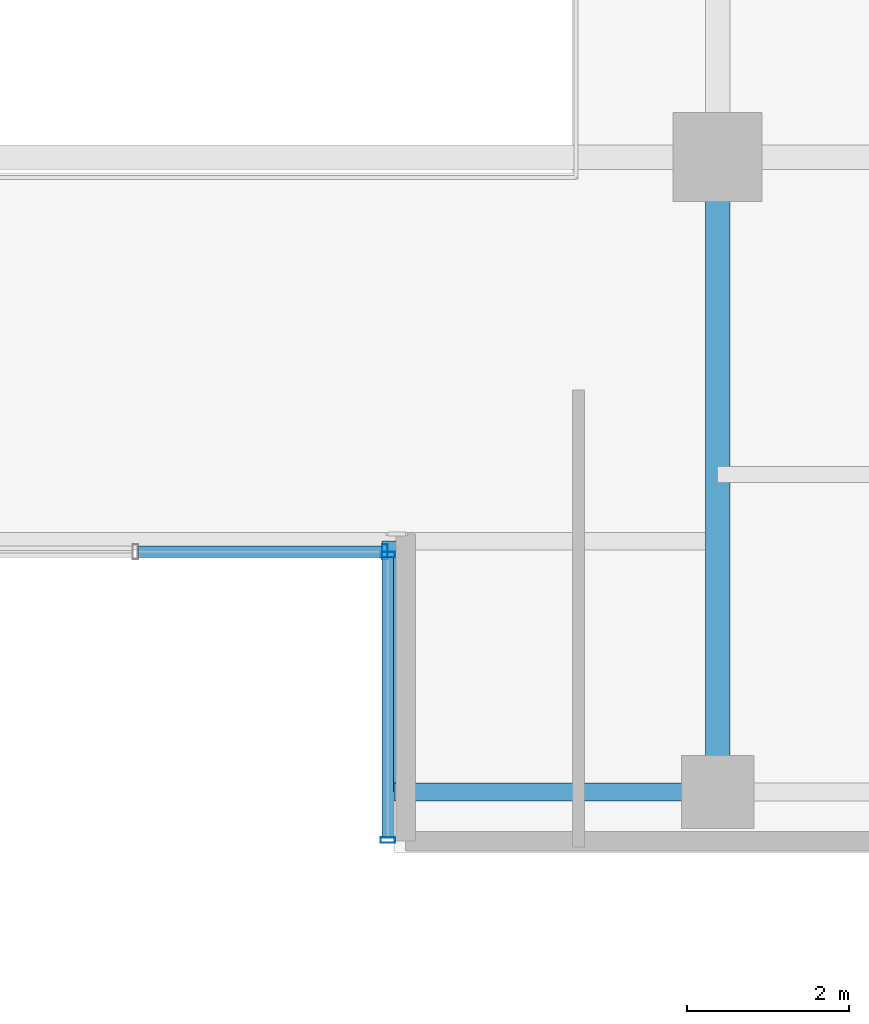
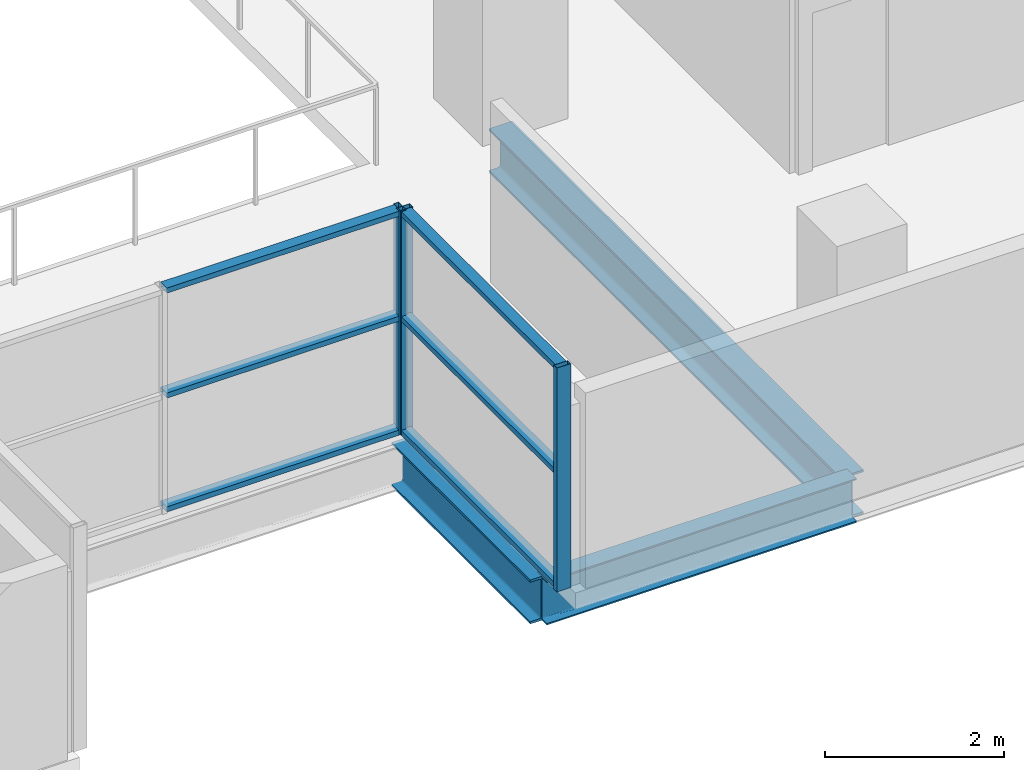
# One storey, part 9 of 31: 9 members, 3 beams, 2 elements without a shape of their own.
"""IFC4 building model written with IfcOpenShell, lengths in metres."""

from ifc_helpers import new_model, si_unit, direction, frame, origin, origin_2d, place, context, subcontext, project, spatial, hollow_rectangle, i_section, extrude, source, transform, mapped, material, layer, layer_set, material_profile, profile_set, type_object, element, aggregate, save


model = new_model("IFC4")

# Units and contexts
model_context = context("Model", 3, precision=1e-05, world=origin(), true_north=direction((0.0, 1.0)))
body_context = subcontext(model_context, "Body", "Model", "MODEL_VIEW")
ifc_project = project(units=[si_unit("LENGTHUNIT", "METRE"), si_unit("AREAUNIT", "SQUARE_METRE"), si_unit("VOLUMEUNIT", "CUBIC_METRE"), si_unit("PLANEANGLEUNIT", "RADIAN"), si_unit("MASSUNIT", "GRAM", prefix="KILO")], contexts=[model_context])

# Site, building, storey
site_placement = place(None, origin())
site = spatial("IfcSite", under=ifc_project, at=site_placement, CompositionType="ELEMENT")
building_placement = place(site_placement, origin())
building = spatial("IfcBuilding", under=site, at=building_placement, Name="Zarnakvel Exchange Tower", CompositionType="ELEMENT")
storey_placement = place(building_placement, frame((0.0, 0.0, 60.39990234375)))
storey = spatial("IfcBuildingStorey", under=building, at=storey_placement, Name="L16", CompositionType="ELEMENT", Elevation=60.39990234375)

# Beams
ifc_material_1 = material(Name="Steel S355", Category="steel")
ifc_material_profile_1 = material_profile(ifc_material_1, i_section(OverallWidth=0.300048828125, OverallDepth=0.60009765625, WebThickness=0.015380859375, FlangeThickness=0.030029296875, FilletRadius=0.027099609375, at=origin_2d()))
ifc_profile_set_1 = profile_set([ifc_material_profile_1], Name="Steel S355")
beam_type_1 = type_object("IfcBeamType", Name="G-04", PredefinedType="BEAM", material=ifc_profile_set_1)
beam_1_placement = place(storey_placement, frame((3.199951171875, -17.449951171875, -0.52490234375), z_axis=(0.0, 1.0, 0.0), x_axis=(-1.0, 0.0, 0.0)))
element("IfcBeam", 1, at=beam_1_placement, inside=storey, type_object=beam_type_1, Name="L16 South Slot East Cheek Beam", PredefinedType="BEAM", context=body_context, shape_type="SweptSolid", body=[
    extrude(i_section(OverallWidth=0.300048828125, OverallDepth=0.60009765625, WebThickness=0.015380859375, FlangeThickness=0.030029296875, FilletRadius=0.027099609375, at=origin_2d()), origin(), (0.0, 0.0, 1.0), 3.099853515625),
])
beam_2_placement = place(storey_placement, frame((7.199951171875, -17.449951171875, -0.52490234375), z_axis=(0.0, 1.0, 0.0), x_axis=(-1.0, 0.0, 0.0)))
element("IfcBeam", 2, at=beam_2_placement, inside=storey, type_object=beam_type_1, Name="L16 Tower N-S Frame Beam", PredefinedType="BEAM", context=body_context, shape_type="SweptSolid", body=[
    extrude(i_section(OverallWidth=0.300048828125, OverallDepth=0.60009765625, WebThickness=0.015380859375, FlangeThickness=0.030029296875, FilletRadius=0.027099609375, at=origin_2d()), origin(), (0.0, 0.0, 1.0), 7.849853515625),
])
ifc_material_profile_2 = material_profile(ifc_material_1, i_section(OverallWidth=0.219970703125, OverallDepth=0.60009765625, WebThickness=0.011962890625, FlangeThickness=0.01904296875, FilletRadius=0.02392578125, at=origin_2d()))
ifc_profile_set_2 = profile_set([ifc_material_profile_2], Name="Steel S355")
beam_type_2 = type_object("IfcBeamType", Name="SP-01", PredefinedType="SPANDREL", material=ifc_profile_set_2)
beam_3_placement = place(storey_placement, frame((3.199951171875, -17.449951171875, -0.52490234375), z_axis=(1.0, 0.0, 0.0), x_axis=(0.0, 1.0, 0.0)))
element("IfcBeam", 3, at=beam_3_placement, inside=storey, type_object=beam_type_2, Name="L16 South Slot East Jamb Spandrel", PredefinedType="SPANDREL", context=body_context, shape_type="SweptSolid", body=[
    extrude(i_section(OverallWidth=0.219970703125, OverallDepth=0.60009765625, WebThickness=0.011962890625, FlangeThickness=0.01904296875, FilletRadius=0.02392578125, at=origin_2d()), origin(), (0.0, 0.0, 1.0), 4.0),
])

# Curtain wall, member
ifc_material_2 = material(Name="Architectural Bronze Anodised Aluminium", Category="aluminium")
ifc_layer = layer(ifc_material_2, 0.179931640625)
ifc_layer_set = layer_set([ifc_layer], Name="Architectural Bronze Anodised Aluminium")
curtain_wall_type = type_object("IfcCurtainWallType", Name="CW-05", PredefinedType="NOTDEFINED", material=ifc_layer_set)
curtain_wall_1_placement = place(storey_placement, origin())
curtain_wall_1 = element("IfcCurtainWall", 4, at=curtain_wall_1_placement, inside=storey, type_object=curtain_wall_type, Name="L16 Curtain Wall CW-L16-SLB (CW-05)", PredefinedType="NOTDEFINED")
ifc_material_profile_3 = material_profile(ifc_material_2, hollow_rectangle(XDim=0.179931640625, YDim=0.070068359375, WallThickness=0.00390625, at=origin_2d()))
ifc_profile_set_3 = profile_set([ifc_material_profile_3], Name="Architectural Bronze Anodised Aluminium")
member_type_1 = type_object("IfcMemberType", Name="CWM-05", PredefinedType="MULLION", material=ifc_profile_set_3)
shared_shape_1 = source(origin(), body_context, "Body", "SweptSolid", [
    extrude(hollow_rectangle(XDim=0.179931640625, YDim=0.070068359375, WallThickness=0.00390625, at=origin_2d()), origin(), (0.0, 0.0, 1.0), 3.05517578125),
])
member_1_placement = place(storey_placement, frame((3.0849609375, -14.47998046875, 0.0), z_axis=(0.0, 0.0, 1.0), x_axis=(0.0, 1.0, 0.0)))
member_1 = element("IfcMember", 5, at=member_1_placement, type_object=member_type_1, Name="CW-05 mullion 3", PredefinedType="MULLION", context=body_context, shape_type="MappedRepresentation", body=[
    mapped(shared_shape_1, transform((0.0, 0.0, 0.0), x_axis=(1.0, 0.0, 0.0), y_axis=(0.0, 1.0, 0.0), z_axis=(0.0, 0.0, 1.0), scale=1.0)),
])

# Curtain wall, members
curtain_wall_2_placement = place(storey_placement, origin())
curtain_wall_2 = element("IfcCurtainWall", 6, at=curtain_wall_2_placement, inside=storey, type_object=curtain_wall_type, Name="L16 Curtain Wall CW-L16-SLE (CW-05)", PredefinedType="NOTDEFINED")
member_2_placement = place(storey_placement, frame((3.1201171875, -14.514892578125, 0.0), z_axis=(0.0, 0.0, 1.0), x_axis=(1.0, 0.0, 0.0)))
member_2 = element("IfcMember", 7, at=member_2_placement, type_object=member_type_1, Name="CW-05 mullion 1", PredefinedType="MULLION", context=body_context, shape_type="MappedRepresentation", body=[
    mapped(shared_shape_1, transform((0.0, 0.0, 0.0), x_axis=(1.0, 0.0, 0.0), y_axis=(0.0, 1.0, 0.0), z_axis=(0.0, 0.0, 1.0), scale=1.0)),
])
member_3_placement = place(storey_placement, frame((3.1201171875, -18.044921875, 0.0), z_axis=(0.0, 0.0, 1.0), x_axis=(1.0, 0.0, 0.0)))
member_3 = element("IfcMember", 8, at=member_3_placement, type_object=member_type_1, Name="CW-05 mullion 2", PredefinedType="MULLION", context=body_context, shape_type="MappedRepresentation", body=[
    mapped(shared_shape_1, transform((0.0, 0.0, 0.0), x_axis=(1.0, 0.0, 0.0), y_axis=(0.0, 1.0, 0.0), z_axis=(0.0, 0.0, 1.0), scale=1.0)),
])
ifc_material_profile_4 = material_profile(ifc_material_2, hollow_rectangle(XDim=0.139892578125, YDim=0.070068359375, WallThickness=0.00390625, at=origin_2d()))
ifc_profile_set_4 = profile_set([ifc_material_profile_4], Name="Architectural Bronze Anodised Aluminium")
member_type_2 = type_object("IfcMemberType", Name="CWT-05", PredefinedType="USERDEFINED", material=ifc_profile_set_4)
shared_shape_2 = source(origin(), body_context, "Body", "SweptSolid", [
    extrude(hollow_rectangle(XDim=0.139892578125, YDim=0.070068359375, WallThickness=0.00390625, at=origin_2d()), origin(), (0.0, 0.0, 1.0), 3.4599609375),
])
member_4_placement = place(storey_placement, frame((3.1201171875, -14.550048828125, 0.03515625), z_axis=(0.0, -1.0, 0.0), x_axis=(1.0, 0.0, 0.0)))
member_4 = element("IfcMember", 9, at=member_4_placement, type_object=member_type_2, Name="CW-05 transom 1.1", ObjectType="TRANSOM", PredefinedType="USERDEFINED", context=body_context, shape_type="MappedRepresentation", body=[
    mapped(shared_shape_2, transform((0.0, 0.0, 0.0), x_axis=(1.0, 0.0, 0.0), y_axis=(0.0, 1.0, 0.0), z_axis=(0.0, 0.0, 1.0), scale=1.0)),
])
member_5_placement = place(storey_placement, frame((3.1201171875, -14.550048828125, 1.588623046875), z_axis=(0.0, -1.0, 0.0), x_axis=(1.0, 0.0, 0.0)))
member_5 = element("IfcMember", 10, at=member_5_placement, type_object=member_type_2, Name="CW-05 transom 1.2", ObjectType="TRANSOM", PredefinedType="USERDEFINED", context=body_context, shape_type="MappedRepresentation", body=[
    mapped(shared_shape_2, transform((0.0, 0.0, 0.0), x_axis=(1.0, 0.0, 0.0), y_axis=(0.0, 1.0, 0.0), z_axis=(0.0, 0.0, 1.0), scale=1.0)),
])
member_6_placement = place(storey_placement, frame((3.1201171875, -14.550048828125, 3.02001953125), z_axis=(0.0, -1.0, 0.0), x_axis=(1.0, 0.0, 0.0)))
member_6 = element("IfcMember", 11, at=member_6_placement, type_object=member_type_2, Name="CW-05 transom 1.3", ObjectType="TRANSOM", PredefinedType="USERDEFINED", context=body_context, shape_type="MappedRepresentation", body=[
    mapped(shared_shape_2, transform((0.0, 0.0, 0.0), x_axis=(1.0, 0.0, 0.0), y_axis=(0.0, 1.0, 0.0), z_axis=(0.0, 0.0, 1.0), scale=1.0)),
])
aggregate(curtain_wall_2, [member_2, member_3, member_4, member_5, member_6])

# Member
shared_shape_3 = source(origin(), body_context, "Body", "SweptSolid", [
    extrude(hollow_rectangle(XDim=0.139892578125, YDim=0.070068359375, WallThickness=0.00390625, at=origin_2d()), origin(), (0.0, 0.0, 1.0), 3.01513671875),
])
member_7_placement = place(storey_placement, frame((0.034912109375, -14.47998046875, 0.03515625), z_axis=(1.0, 0.0, 0.0), x_axis=(0.0, 1.0, 0.0)))
member_7 = element("IfcMember", 12, at=member_7_placement, type_object=member_type_2, Name="CW-05 transom 2.1", ObjectType="TRANSOM", PredefinedType="USERDEFINED", context=body_context, shape_type="MappedRepresentation", body=[
    mapped(shared_shape_3, transform((0.0, 0.0, 0.0), x_axis=(1.0, 0.0, 0.0), y_axis=(0.0, 1.0, 0.0), z_axis=(0.0, 0.0, 1.0), scale=1.0)),
])

member_8_placement = place(storey_placement, frame((0.034912109375, -14.47998046875, 1.588623046875), z_axis=(1.0, 0.0, 0.0), x_axis=(0.0, 1.0, 0.0)))
member_8 = element("IfcMember", 13, at=member_8_placement, type_object=member_type_2, Name="CW-05 transom 2.2", ObjectType="TRANSOM", PredefinedType="USERDEFINED", context=body_context, shape_type="MappedRepresentation", body=[
    mapped(shared_shape_3, transform((0.0, 0.0, 0.0), x_axis=(1.0, 0.0, 0.0), y_axis=(0.0, 1.0, 0.0), z_axis=(0.0, 0.0, 1.0), scale=1.0)),
])

member_9_placement = place(storey_placement, frame((0.034912109375, -14.47998046875, 3.02001953125), z_axis=(1.0, 0.0, 0.0), x_axis=(0.0, 1.0, 0.0)))
member_9 = element("IfcMember", 14, at=member_9_placement, type_object=member_type_2, Name="CW-05 transom 2.3", ObjectType="TRANSOM", PredefinedType="USERDEFINED", context=body_context, shape_type="MappedRepresentation", body=[
    mapped(shared_shape_3, transform((0.0, 0.0, 0.0), x_axis=(1.0, 0.0, 0.0), y_axis=(0.0, 1.0, 0.0), z_axis=(0.0, 0.0, 1.0), scale=1.0)),
])

aggregate(curtain_wall_1, [member_1, member_7, member_8, member_9])

save(model, "model.ifc")
